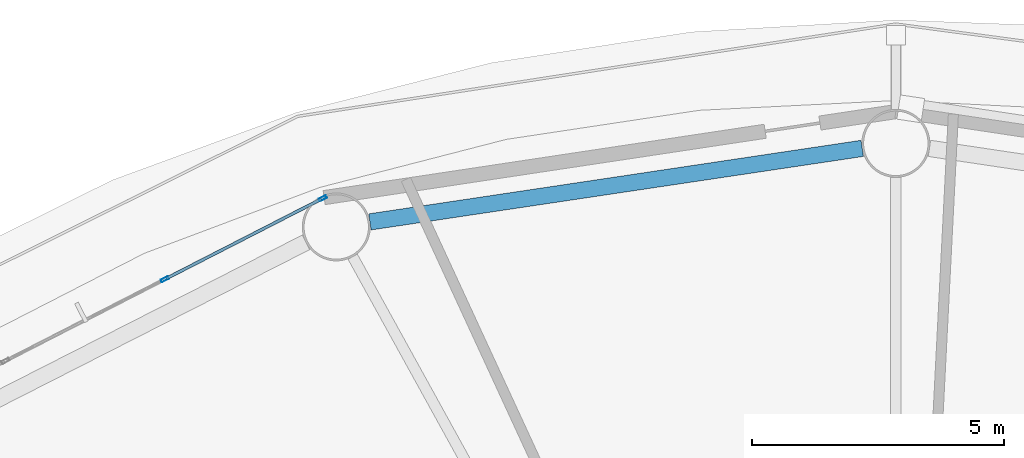
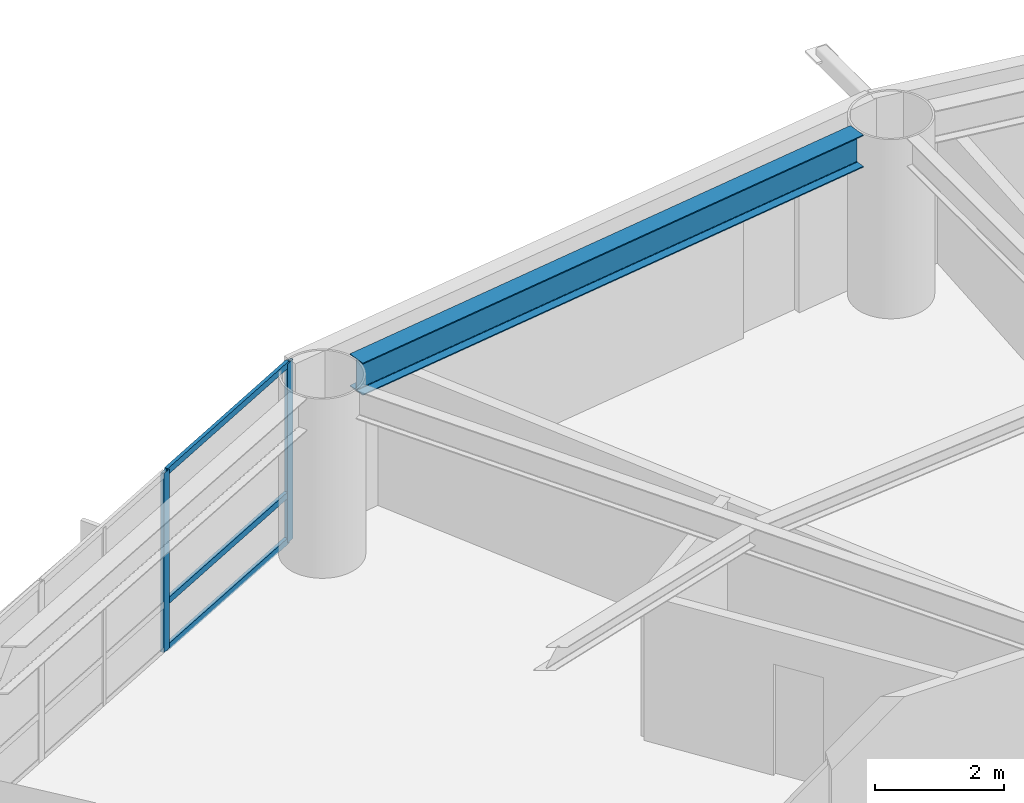
# One storey, part 10 of 24: 5 members, 1 beam, 1 element without a shape of its own.
"""IFC4 building model written with IfcOpenShell, lengths in metres."""

import ifcopenshell
import ifcopenshell.guid

model = None  # the IFC model being written
_history = None  # IfcOwnerHistory: only IFC2X3 demands one
_inside = {}  # id of a spatial element -> (the spatial element, [elements in it])
_under = {}  # id of a project, library or spatial element -> (it, [spatial elements below it])
_declared = {}  # id of a project -> (the project, [libraries it declares])
_typed = {}  # id of a type object -> (the type object, [elements of that type])
_made_of = {}  # id of a material, layer set ... -> (it, [elements and type objects made of it])


def new_model(schema):
    """Start an empty IFC model of exactly this schema.

    Asked for "IFC4X3", IfcOpenShell would pick the latest addendum, in which some entities
    have other attributes; the version numbers below select the first issue.
    IFC2X3 requires an IfcOwnerHistory on every rooted entity: one is made here for all.
    """
    global model, _history
    if schema == "IFC4X3":
        model = ifcopenshell.file(schema_version=(4, 3, 0, 0))
    else:
        model = ifcopenshell.file(schema=schema)
    _inside.clear()
    _under.clear()
    _declared.clear()
    _typed.clear()
    _made_of.clear()
    _history = None
    if model.schema == "IFC2X3":
        org = make("IfcOrganization", Name="unknown")
        user = make(
            "IfcPersonAndOrganization",
            ThePerson=make("IfcPerson", FamilyName="unknown"),
            TheOrganization=org,
        )
        app = make(
            "IfcApplication",
            ApplicationDeveloper=org,
            Version="unknown",
            ApplicationFullName="unknown",
            ApplicationIdentifier="unknown",
        )
        _history = make(
            "IfcOwnerHistory",
            OwningUser=user,
            OwningApplication=app,
            ChangeAction="ADDED",
            CreationDate=0,
        )
    return model


def make(cls, **values):
    """One entity of the class cls with the attributes given. An attribute that is None is left unset."""
    return model.create_entity(
        cls, **{name: value for name, value in values.items() if value is not None}
    )


def rooted(cls, **values):
    """An entity with a GlobalId (a new one), such as an element, a storey or a relation."""
    return make(cls, GlobalId=ifcopenshell.guid.new(), OwnerHistory=_history, **values)


def si_unit(unit_type, name, prefix=None):
    """IfcSIUnit, for example si_unit("LENGTHUNIT", "METRE", prefix="MILLI")."""
    return make("IfcSIUnit", UnitType=unit_type, Prefix=prefix, Name=name)


def assignment(units):
    """IfcUnitAssignment: the units of a project."""
    return None if units is None else make("IfcUnitAssignment", Units=units)


def point(xyz):
    """IfcCartesianPoint."""
    return None if xyz is None else make("IfcCartesianPoint", Coordinates=xyz)


def direction(xyz):
    """IfcDirection."""
    return None if xyz is None else make("IfcDirection", DirectionRatios=xyz)


def frame(location, z_axis=None, x_axis=None):
    """IfcAxis2Placement3D, a coordinate frame: its origin and axes. An axis left out is left unset."""
    return make(
        "IfcAxis2Placement3D",
        Location=point(location),
        Axis=direction(z_axis),
        RefDirection=direction(x_axis),
    )


def frame_2d(location, x_axis=None):
    """IfcAxis2Placement2D, a coordinate frame in the plane: its origin and x axis."""
    return make(
        "IfcAxis2Placement2D", Location=point(location), RefDirection=direction(x_axis)
    )


def origin():
    """The frame at (0, 0, 0) with its axes left unset."""
    return frame((0.0, 0.0, 0.0))


def origin_2d():
    """The frame at (0, 0) in the plane with its x axis left unset."""
    return frame_2d((0.0, 0.0))


def place(relative_to, where):
    """IfcLocalPlacement: puts the frame where relative to a parent placement (None: the world)."""
    return make(
        "IfcLocalPlacement", PlacementRelTo=relative_to, RelativePlacement=where
    )


def context(
    kind, dimensions, precision=None, world=None, true_north=None, identifier=None
):
    """IfcGeometricRepresentationContext, for example the 3D "Model" context."""
    return make(
        "IfcGeometricRepresentationContext",
        ContextIdentifier=identifier,
        ContextType=kind,
        CoordinateSpaceDimension=dimensions,
        Precision=precision,
        WorldCoordinateSystem=world,
        TrueNorth=true_north,
    )


def subcontext(parent, identifier, kind, view, scale=None):
    """IfcGeometricRepresentationSubContext, for example "Body" below "Model"."""
    return make(
        "IfcGeometricRepresentationSubContext",
        ContextIdentifier=identifier,
        ContextType=kind,
        ParentContext=parent,
        TargetScale=scale,
        TargetView=view,
    )


def project(units=None, contexts=None):
    """IfcProject with its units and contexts."""
    return rooted(
        "IfcProject",
        Name="project",
        RepresentationContexts=contexts,
        UnitsInContext=assignment(units),
    )


def spatial(cls, under=None, at=None, **own):
    """A site, building, storey or space (cls), placed at a placement, below another one or the project."""
    s = rooted(cls, ObjectPlacement=at, **own)
    if under is not None:
        _under.setdefault(under.id(), (under, []))[1].append(s)
    return s


def profile(cls, at=None, kind="AREA", **sizes):
    """A parametric profile (cls). Its sizes go by their IFC names, for example OverallWidth=200.0."""
    return make(cls, ProfileType=kind, Position=at, **sizes)


def hollow_rectangle(**sizes):
    """IfcRectangleHollowProfileDef."""
    return profile("IfcRectangleHollowProfileDef", **sizes)


def i_section(**sizes):
    """IfcIShapeProfileDef."""
    return profile("IfcIShapeProfileDef", **sizes)


def extrude(swept, where, along, depth):
    """IfcExtrudedAreaSolid: the profile swept, set in the frame where, extruded along a direction by depth."""
    return make(
        "IfcExtrudedAreaSolid",
        SweptArea=swept,
        Position=where,
        ExtrudedDirection=direction(along),
        Depth=depth,
    )


def shape(context_of_items, identifier, shape_type, items):
    """IfcShapeRepresentation: the items that make up one representation, for example the "Body"."""
    return make(
        "IfcShapeRepresentation",
        ContextOfItems=context_of_items,
        RepresentationIdentifier=identifier,
        RepresentationType=shape_type,
        Items=items,
    )


def material(Name=None, Category=None):
    """IfcMaterial."""
    return make("IfcMaterial", Name=Name, Category=Category)


def layer(
    of_material, thickness, ventilated=None, Name=None, Category=None, Priority=None
):
    """IfcMaterialLayer: one layer of a wall or slab, of a material (None: an air gap)."""
    return make(
        "IfcMaterialLayer",
        Material=of_material,
        LayerThickness=thickness,
        IsVentilated=ventilated,
        Name=Name,
        Category=Category,
        Priority=Priority,
    )


def layer_set(layers, Name=None):
    """IfcMaterialLayerSet."""
    return make("IfcMaterialLayerSet", MaterialLayers=layers, LayerSetName=Name)


def material_profile(
    of_material, cross_section, Name=None, Category=None, Priority=None
):
    """IfcMaterialProfile: a cross section and its material."""
    return make(
        "IfcMaterialProfile",
        Name=Name,
        Material=of_material,
        Profile=cross_section,
        Priority=Priority,
        Category=Category,
    )


def profile_set(profiles, Name=None, composite=None):
    """IfcMaterialProfileSet."""
    return make(
        "IfcMaterialProfileSet",
        Name=Name,
        MaterialProfiles=profiles,
        CompositeProfile=composite,
    )


def made_of(thing, what):
    """Note that an element or type object is made of a material, layer set ...; save() writes the relation."""
    if what is not None:
        _made_of.setdefault(what.id(), (what, []))[1].append(thing)
    return thing


def type_object(cls, material=None, **own):
    """A type object (cls), such as IfcWallType, which elements share."""
    return made_of(rooted(cls, **own), material)


def element(
    cls,
    number,
    at=None,
    inside=None,
    cuts=None,
    type_object=None,
    material=None,
    context=None,
    identifier="Body",
    shape_type=None,
    held_by="IfcProductDefinitionShape",
    body=None,
    shapes=None,
    **own,
):
    """One element of the class cls, such as IfcWall. Its Tag is "e" and its number.

    at: its placement. inside: the storey or other place that contains it. cuts: it is an
    opening in that element (IfcRelVoidsElement). A single representation is given by context,
    identifier, shape_type and body (its items); several are given by shapes. held_by: the class
    of the entity that holds the representations. save() writes the other relations.
    """
    e = rooted(cls, Tag="e%d" % number, ObjectPlacement=at, **own)
    if body is not None:
        shapes = [shape(context, identifier, shape_type, body)]
    if shapes is not None:
        e.Representation = make(held_by, Representations=shapes)
    if inside is not None:
        _inside.setdefault(inside.id(), (inside, []))[1].append(e)
    if cuts is not None:
        rooted(
            "IfcRelVoidsElement", RelatingBuildingElement=cuts, RelatedOpeningElement=e
        )
    if type_object is not None:
        _typed.setdefault(type_object.id(), (type_object, []))[1].append(e)
    return made_of(e, material)


def aggregate(whole, parts):
    """IfcRelAggregates: a whole, such as a stair, and the parts it consists of."""
    return rooted("IfcRelAggregates", RelatingObject=whole, RelatedObjects=parts)


def save(model, path):
    """Write the relations noted so far, then the file.

    IfcRelAggregates (storeys below a building ...), IfcRelContainedInSpatialStructure (elements
    in a storey), IfcRelDefinesByType, IfcRelAssociatesMaterial and IfcRelDeclares: one each for
    every whole, place, type object, material and project.
    """
    for whole, parts in _under.values():
        aggregate(whole, parts)
    for where, things in _inside.values():
        rooted(
            "IfcRelContainedInSpatialStructure",
            RelatedElements=things,
            RelatingStructure=where,
        )
    for kind, things in _typed.values():
        rooted("IfcRelDefinesByType", RelatedObjects=things, RelatingType=kind)
    for what, things in _made_of.values():
        rooted("IfcRelAssociatesMaterial", RelatedObjects=things, RelatingMaterial=what)
    for by, libraries in _declared.values():
        rooted("IfcRelDeclares", RelatingContext=by, RelatedDefinitions=libraries)
    model.write(path)


model = new_model("IFC4")

# Units and contexts
model_context = context("Model", 3, precision=1e-05, world=origin(), true_north=direction((0.0, 1.0)))
body_context = subcontext(model_context, "Body", "Model", "MODEL_VIEW")
ifc_project = project(units=[si_unit("LENGTHUNIT", "METRE"), si_unit("AREAUNIT", "SQUARE_METRE"), si_unit("VOLUMEUNIT", "CUBIC_METRE"), si_unit("PLANEANGLEUNIT", "RADIAN"), si_unit("MASSUNIT", "GRAM", prefix="KILO")], contexts=[model_context])

# Site, building, storey
site_placement = place(None, origin())
site = spatial("IfcSite", under=ifc_project, at=site_placement, CompositionType="ELEMENT")
building_placement = place(site_placement, origin())
building = spatial("IfcBuilding", under=site, at=building_placement, Name="Sarneth Arch Tower", CompositionType="ELEMENT")
storey_placement = place(building_placement, frame((0.0, 0.0, 87.60009765625)))
storey = spatial("IfcBuildingStorey", under=building, at=storey_placement, Name="L21", CompositionType="ELEMENT", Elevation=87.60009765625)

# Beam
ifc_material_1 = material(Name="Steel S355", Category="steel")
ifc_material_profile_1 = material_profile(ifc_material_1, i_section(OverallWidth=0.323974609375, OverallDepth=0.611083984375, WebThickness=0.0126953125, FlangeThickness=0.01904296875, FilletRadius=0.01904296875, at=origin_2d()), Name="W610x155")
ifc_profile_set_1 = profile_set([ifc_material_profile_1], Name="Steel S355")
beam_type = type_object("IfcBeamType", Name="BM-SPAN-610B", PredefinedType="SPANDREL", material=ifc_profile_set_1)
beam_placement = place(storey_placement, frame((47.33251953125, 63.7001953125, 3.074462890625), z_axis=(-0.989029828744, -0.147715936359, 0.0), x_axis=(0.147715936359, -0.989029828744, 0.0)))
element("IfcBeam", 1, at=beam_placement, inside=storey, type_object=beam_type, Name="L21 Perimeter spandrel beam 05", PredefinedType="SPANDREL", context=body_context, shape_type="SweptSolid", body=[
    extrude(i_section(OverallWidth=0.323974609375, OverallDepth=0.611083984375, WebThickness=0.0126953125, FlangeThickness=0.01904296875, FilletRadius=0.01904296875, at=origin_2d()), origin(), (0.0, 0.0, 1.0), 9.883544921875),
])

# Curtain wall, members
ifc_material_2 = material(Name="Anodised aluminium Type AA25 and solar-control low-e laminated IGU", Category="aluminium")
ifc_layer = layer(ifc_material_2, 0.159912109375)
ifc_layer_set = layer_set([ifc_layer], Name="Anodised aluminium Type AA25 and solar-control low-e laminated IGU")
curtain_wall_type = type_object("IfcCurtainWallType", Name="CW-HOTEL-MID", PredefinedType="NOTDEFINED", material=ifc_layer_set)
curtain_wall_placement = place(storey_placement, origin())
curtain_wall = element("IfcCurtainWall", 2, at=curtain_wall_placement, inside=storey, type_object=curtain_wall_type, Name="L21 Unitised curtain wall facet 06", PredefinedType="NOTDEFINED")
ifc_material_3 = material(Name="Anodised Aluminium 6063-T6", Category="aluminium")
ifc_material_profile_2 = material_profile(ifc_material_3, hollow_rectangle(XDim=0.06005859375, YDim=0.159912109375, WallThickness=0.00390625, at=origin_2d()), Name="AL-MULL-160x60x4")
ifc_profile_set_2 = profile_set([ifc_material_profile_2], Name="Anodised Aluminium 6063-T6")
member_type_1 = type_object("IfcMemberType", Name="CW-MULLION", PredefinedType="MULLION", material=ifc_profile_set_2)
member_1_placement = place(storey_placement, frame((36.6220703125, 62.708984375, 0.0), z_axis=(0.0, 0.0, 1.0), x_axis=(0.456031365356, -0.889963703649, 0.0)))
member_1 = element("IfcMember", 3, at=member_1_placement, type_object=member_type_1, Name="CW-SYS-4 mullion 1", PredefinedType="MULLION", context=body_context, shape_type="SweptSolid", body=[
    extrude(hollow_rectangle(XDim=0.06005859375, YDim=0.159912109375, WallThickness=0.00390625, at=origin_2d()), origin(), (0.0, 0.0, 1.0), 3.3798828125),
])
member_2_placement = place(storey_placement, frame((33.48583984375, 61.101806640625, 0.0), z_axis=(0.0, 0.0, 1.0), x_axis=(0.456031365356, -0.889963703649, 0.0)))
member_2 = element("IfcMember", 4, at=member_2_placement, type_object=member_type_1, Name="CW-SYS-4 mullion 2", PredefinedType="MULLION", context=body_context, shape_type="SweptSolid", body=[
    extrude(hollow_rectangle(XDim=0.06005859375, YDim=0.159912109375, WallThickness=0.00390625, at=origin_2d()), origin(), (0.0, 0.0, 1.0), 3.3798828125),
])
ifc_material_4 = material(Name="Anodised Aluminium 6063-T6", Category="aluminium")
ifc_material_profile_3 = material_profile(ifc_material_4, hollow_rectangle(XDim=0.06005859375, YDim=0.1201171875, WallThickness=0.00390625, at=origin_2d()), Name="AL-TRAN-120x60x4")
ifc_profile_set_3 = profile_set([ifc_material_profile_3], Name="Anodised Aluminium 6063-T6")
member_type_2 = type_object("IfcMemberType", Name="CW-TRANSOM", PredefinedType="USERDEFINED", material=ifc_profile_set_3)
member_3_placement = place(storey_placement, frame((36.595458984375, 62.6953125, 0.02978515625), z_axis=(-0.889957563627, -0.456043347658, 0.0), x_axis=(0.456043347658, -0.889957563627, 0.0)))
member_3 = element("IfcMember", 5, at=member_3_placement, type_object=member_type_2, Name="CW-SYS-4 transom 1.1", ObjectType="TRANSOM", PredefinedType="USERDEFINED", context=body_context, shape_type="SweptSolid", body=[
    extrude(hollow_rectangle(XDim=0.06005859375, YDim=0.1201171875, WallThickness=0.00390625, at=origin_2d()), origin(), (0.0, 0.0, 1.0), 3.464111328125),
])
member_4_placement = place(storey_placement, frame((36.595458984375, 62.6953125, 0.89990234375), z_axis=(-0.889957563627, -0.456043347658, 0.0), x_axis=(0.456043347658, -0.889957563627, 0.0)))
member_4 = element("IfcMember", 6, at=member_4_placement, type_object=member_type_2, Name="CW-SYS-4 transom 1.2", ObjectType="TRANSOM", PredefinedType="USERDEFINED", context=body_context, shape_type="SweptSolid", body=[
    extrude(hollow_rectangle(XDim=0.06005859375, YDim=0.1201171875, WallThickness=0.00390625, at=origin_2d()), origin(), (0.0, 0.0, 1.0), 3.464111328125),
])
member_5_placement = place(storey_placement, frame((36.595458984375, 62.6953125, 3.349853515625), z_axis=(-0.889957563627, -0.456043347658, 0.0), x_axis=(0.456043347658, -0.889957563627, 0.0)))
member_5 = element("IfcMember", 7, at=member_5_placement, type_object=member_type_2, Name="CW-SYS-4 transom 1.3", ObjectType="TRANSOM", PredefinedType="USERDEFINED", context=body_context, shape_type="SweptSolid", body=[
    extrude(hollow_rectangle(XDim=0.06005859375, YDim=0.1201171875, WallThickness=0.00390625, at=origin_2d()), origin(), (0.0, 0.0, 1.0), 3.464111328125),
])
aggregate(curtain_wall, [member_1, member_2, member_3, member_4, member_5])

save(model, "model.ifc")
